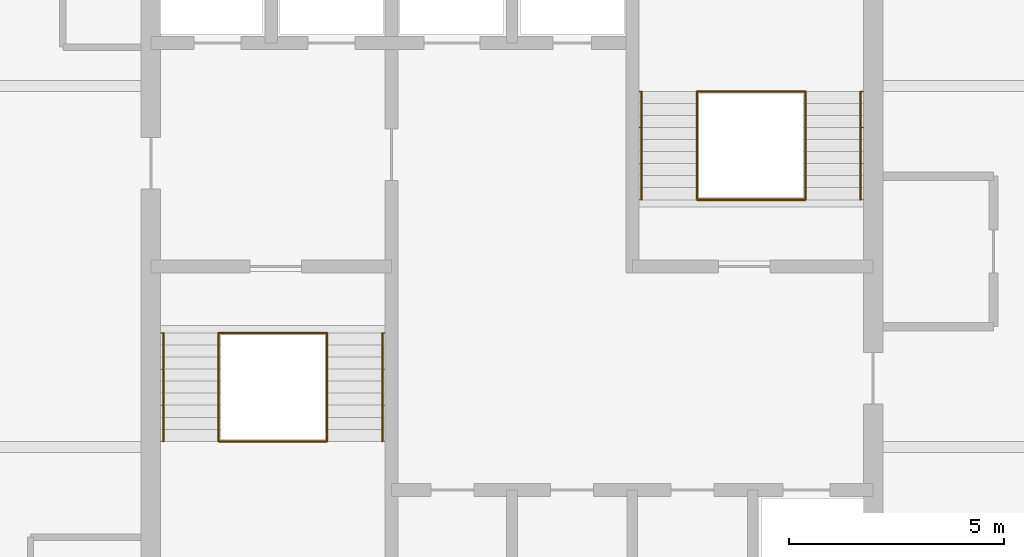
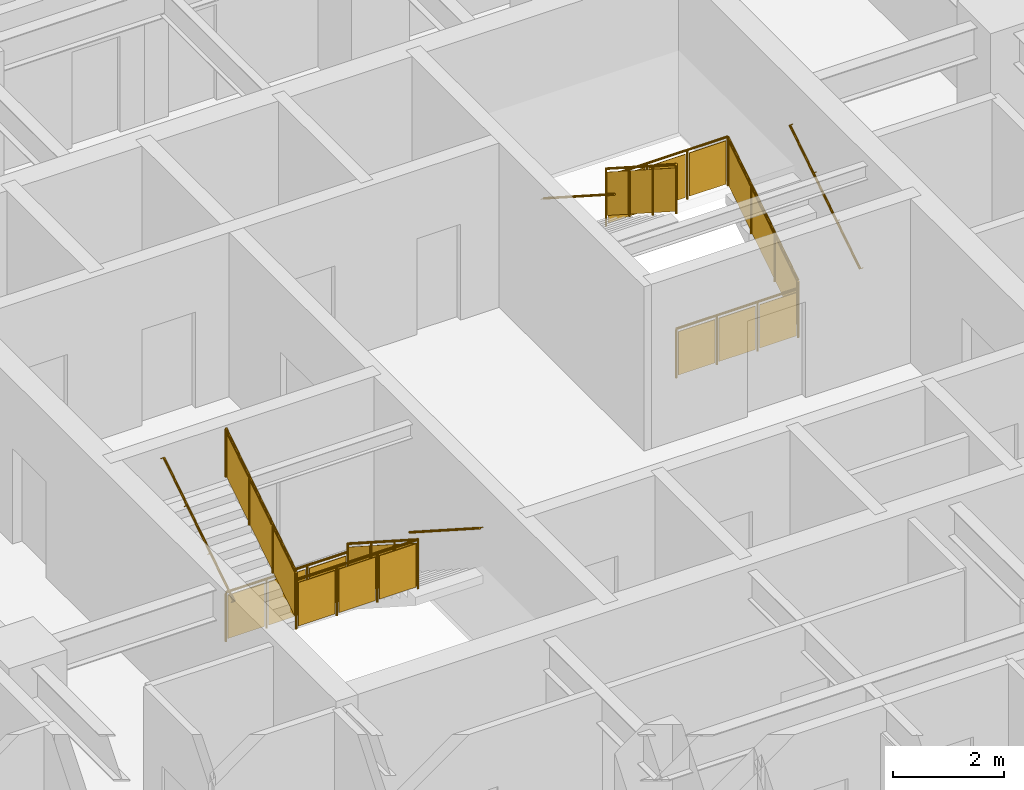
# One storey, part 10 of 10: 12 railings.
"""IFC4 building model written with IfcOpenShell, lengths in metres."""

from ifc_helpers import new_model, si_unit, direction, frame, origin, origin_2d, place, context, subcontext, project, spatial, polyline, circle, outline, extrude, material, type_object, element, save


model = new_model("IFC4")

# Units and contexts
model_context = context("Model", 3, precision=1e-05, world=origin(), true_north=direction((0.0, 1.0)))
body_context = subcontext(model_context, "Body", "Model", "MODEL_VIEW")
ifc_project = project(units=[si_unit("LENGTHUNIT", "METRE"), si_unit("AREAUNIT", "SQUARE_METRE"), si_unit("VOLUMEUNIT", "CUBIC_METRE"), si_unit("PLANEANGLEUNIT", "RADIAN"), si_unit("MASSUNIT", "GRAM", prefix="KILO")], contexts=[model_context])

# Site, building, storey
site_placement = place(None, origin())
site = spatial("IfcSite", under=ifc_project, at=site_placement, CompositionType="ELEMENT")
building_placement = place(site_placement, origin())
building = spatial("IfcBuilding", under=site, at=building_placement, Name="Torre Alcanfor", CompositionType="ELEMENT")
storey_placement = place(building_placement, frame((0.0, 0.0, 286.5)))
storey = spatial("IfcBuildingStorey", under=building, at=storey_placement, Name="L75", CompositionType="ELEMENT", Elevation=286.5)

# Railings
ifc_material_1 = material(Name="Steel ASTM A500 Grade C hollow sections", Category="steel")
railing_type_1 = type_object("IfcRailingType", Name="Stair guard and handrail 1100", PredefinedType="GUARDRAIL", material=ifc_material_1)
railing_1_placement = place(storey_placement, frame((25.10009765625, 27.85009765625, 0.179931640625)))
element("IfcRailing", 1, at=railing_1_placement, inside=storey, type_object=railing_type_1, Name="Stair guard S1 L75 flight 1", PredefinedType="GUARDRAIL", context=body_context, shape_type="SweptSolid", body=[
    extrude(circle(Radius=0.02392578125, at=origin_2d()), frame((0.0, 0.0, 1.076171875), z_axis=(0.0, -0.841162588446, 0.540782303519), x_axis=(1.0, 0.0, 0.0)), (0.0, 0.0, 1.0), 2.995849609375),
    extrude(circle(Radius=0.02099609375, at=origin_2d()), origin(), (0.0, 0.0, 1.0), 1.052001953125),
    extrude(circle(Radius=0.02099609375, at=origin_2d()), frame((0.0, -0.840087890625, 0.5400390625)), (0.0, 0.0, 1.0), 1.052001953125),
    extrude(circle(Radius=0.02099609375, at=origin_2d()), frame((0.0, -1.679931640625, 1.080078125)), (0.0, 0.0, 1.0), 1.052001953125),
    extrude(circle(Radius=0.02099609375, at=origin_2d()), frame((0.0, -2.52001953125, 1.6201171875)), (0.0, 0.0, 1.0), 1.052001953125),
    extrude(outline(polyline([(0.041015625, 0.076416015625), (0.799072265625, 0.563720703125), (0.799072265625, 1.515625), (0.041015625, 1.0283203125), (0.041015625, 0.076416015625)])), frame((0.005859375, 0.0, 0.0), z_axis=(-1.0, 0.0, 0.0), x_axis=(0.0, -1.0, 0.0)), (0.0, 0.0, 1.0), 0.011962890625),
    extrude(outline(polyline([(0.881103515625, 0.616455078125), (1.638916015625, 1.103759765625), (1.638916015625, 2.0556640625), (0.881103515625, 1.568359375), (0.881103515625, 0.616455078125)])), frame((0.005859375, 0.0, 0.0), z_axis=(-1.0, 0.0, 0.0), x_axis=(0.0, -1.0, 0.0)), (0.0, 0.0, 1.0), 0.011962890625),
    extrude(outline(polyline([(1.720947265625, 1.156494140625), (2.47900390625, 1.643798828125), (2.47900390625, 2.595703125), (1.720947265625, 2.1083984375), (1.720947265625, 1.156494140625)])), frame((0.005859375, 0.0, 0.0), z_axis=(-1.0, 0.0, 0.0), x_axis=(0.0, -1.0, 0.0)), (0.0, 0.0, 1.0), 0.011962890625),
])
railing_2_placement = place(storey_placement, frame((22.574951171875, 25.330078125, 1.97998046875)))
element("IfcRailing", 2, at=railing_2_placement, inside=storey, type_object=railing_type_1, Name="Stair guard S1 L75 flight 2", PredefinedType="GUARDRAIL", context=body_context, shape_type="SweptSolid", body=[
    extrude(circle(Radius=0.02392578125, at=origin_2d()), frame((0.0, 0.0, 1.076171875), z_axis=(0.0, 0.841162588446, 0.540782303519), x_axis=(-1.0, 0.0, 0.0)), (0.0, 0.0, 1.0), 2.995849609375),
    extrude(circle(Radius=0.02099609375, at=origin_2d()), origin(), (0.0, 0.0, 1.0), 1.052001953125),
    extrude(circle(Radius=0.02099609375, at=origin_2d()), frame((0.0, 0.840087890625, 0.5400390625)), (0.0, 0.0, 1.0), 1.052001953125),
    extrude(circle(Radius=0.02099609375, at=origin_2d()), frame((0.0, 1.679931640625, 1.080078125)), (0.0, 0.0, 1.0), 1.052001953125),
    extrude(circle(Radius=0.02099609375, at=origin_2d()), frame((0.0, 2.52001953125, 1.6201171875)), (0.0, 0.0, 1.0), 1.052001953125),
    extrude(outline(polyline([(0.041015625, 0.076416015625), (0.799072265625, 0.563720703125), (0.799072265625, 1.515625), (0.041015625, 1.0283203125), (0.041015625, 0.076416015625)])), frame((-0.005859375, 0.0, 0.0), z_axis=(1.0, 0.0, 0.0), x_axis=(0.0, 1.0, 0.0)), (0.0, 0.0, 1.0), 0.011962890625),
    extrude(outline(polyline([(0.881103515625, 0.616455078125), (1.638916015625, 1.103759765625), (1.638916015625, 2.0556640625), (0.881103515625, 1.568359375), (0.881103515625, 0.616455078125)])), frame((-0.005859375, 0.0, 0.0), z_axis=(1.0, 0.0, 0.0), x_axis=(0.0, 1.0, 0.0)), (0.0, 0.0, 1.0), 0.011962890625),
    extrude(outline(polyline([(1.720947265625, 1.156494140625), (2.47900390625, 1.643798828125), (2.47900390625, 2.595703125), (1.720947265625, 2.1083984375), (1.720947265625, 1.156494140625)])), frame((-0.005859375, 0.0, 0.0), z_axis=(1.0, 0.0, 0.0), x_axis=(0.0, 1.0, 0.0)), (0.0, 0.0, 1.0), 0.011962890625),
])
for number, where, name in (
    (3, (22.574951171875, 27.85009765625, 0.0), "Stair well guard S1 L75 floor landing"),
    (4, (22.574951171875, 25.330078125, 1.800048828125), "Stair well guard S1 L75 half landing"),
):
    element("IfcRailing", number, at=place(storey_placement, frame(where)), inside=storey, type_object=railing_type_1, Name=name, PredefinedType="GUARDRAIL", context=body_context, shape_type="SweptSolid", body=[
        extrude(circle(Radius=0.02392578125, at=origin_2d()), frame((0.0, 0.0, 1.076171875), z_axis=(1.0, 0.0, 0.0), x_axis=(0.0, 1.0, 0.0)), (0.0, 0.0, 1.0), 2.525146484375),
        extrude(circle(Radius=0.02099609375, at=origin_2d()), origin(), (0.0, 0.0, 1.0), 1.052001953125),
        extrude(circle(Radius=0.02099609375, at=origin_2d()), frame((0.841796875, 0.0, 0.0)), (0.0, 0.0, 1.0), 1.052001953125),
        extrude(circle(Radius=0.02099609375, at=origin_2d()), frame((1.683349609375, 0.0, 0.0)), (0.0, 0.0, 1.0), 1.052001953125),
        extrude(circle(Radius=0.02099609375, at=origin_2d()), frame((2.525146484375, 0.0, 0.0)), (0.0, 0.0, 1.0), 1.052001953125),
        extrude(outline(polyline([(0.041015625, 0.050048828125), (0.80078125, 0.050048828125), (0.80078125, 1.001953125), (0.041015625, 1.001953125), (0.041015625, 0.050048828125)])), frame((0.0, 0.005859375, 0.0), z_axis=(0.0, -1.0, 0.0), x_axis=(1.0, 0.0, 0.0)), (0.0, 0.0, 1.0), 0.011962890625),
        extrude(outline(polyline([(0.8828125, 0.050048828125), (1.642333984375, 0.050048828125), (1.642333984375, 1.001953125), (0.8828125, 1.001953125), (0.8828125, 0.050048828125)])), frame((0.0, 0.005859375, 0.0), z_axis=(0.0, -1.0, 0.0), x_axis=(1.0, 0.0, 0.0)), (0.0, 0.0, 1.0), 0.011962890625),
        extrude(outline(polyline([(1.724365234375, 0.050048828125), (2.484130859375, 0.050048828125), (2.484130859375, 1.001953125), (1.724365234375, 1.001953125), (1.724365234375, 0.050048828125)])), frame((0.0, 0.005859375, 0.0), z_axis=(0.0, -1.0, 0.0), x_axis=(1.0, 0.0, 0.0)), (0.0, 0.0, 1.0), 0.011962890625),
    ])
railing_3_placement = place(storey_placement, frame((36.22509765625, 30.949951171875, 0.179931640625)))
element("IfcRailing", 5, at=railing_3_placement, inside=storey, type_object=railing_type_1, Name="Stair guard S2 L75 flight 1", PredefinedType="GUARDRAIL", context=body_context, shape_type="SweptSolid", body=[
    extrude(circle(Radius=0.02392578125, at=origin_2d()), frame((0.0, 0.0, 1.076171875), z_axis=(0.0, 0.841162588446, 0.540782303519), x_axis=(-1.0, 0.0, 0.0)), (0.0, 0.0, 1.0), 2.995849609375),
    extrude(circle(Radius=0.02099609375, at=origin_2d()), origin(), (0.0, 0.0, 1.0), 1.052001953125),
    extrude(circle(Radius=0.02099609375, at=origin_2d()), frame((0.0, 0.840087890625, 0.5400390625)), (0.0, 0.0, 1.0), 1.052001953125),
    extrude(circle(Radius=0.02099609375, at=origin_2d()), frame((0.0, 1.679931640625, 1.080078125)), (0.0, 0.0, 1.0), 1.052001953125),
    extrude(circle(Radius=0.02099609375, at=origin_2d()), frame((0.0, 2.52001953125, 1.6201171875)), (0.0, 0.0, 1.0), 1.052001953125),
    extrude(outline(polyline([(0.041015625, 0.076416015625), (0.799072265625, 0.563720703125), (0.799072265625, 1.515625), (0.041015625, 1.0283203125), (0.041015625, 0.076416015625)])), frame((-0.005859375, 0.0, 0.0), z_axis=(1.0, 0.0, 0.0), x_axis=(0.0, 1.0, 0.0)), (0.0, 0.0, 1.0), 0.011962890625),
    extrude(outline(polyline([(0.881103515625, 0.616455078125), (1.638916015625, 1.103759765625), (1.638916015625, 2.0556640625), (0.881103515625, 1.568359375), (0.881103515625, 0.616455078125)])), frame((-0.005859375, 0.0, 0.0), z_axis=(1.0, 0.0, 0.0), x_axis=(0.0, 1.0, 0.0)), (0.0, 0.0, 1.0), 0.011962890625),
    extrude(outline(polyline([(1.720947265625, 1.156494140625), (2.47900390625, 1.643798828125), (2.47900390625, 2.595703125), (1.720947265625, 2.1083984375), (1.720947265625, 1.156494140625)])), frame((-0.005859375, 0.0, 0.0), z_axis=(1.0, 0.0, 0.0), x_axis=(0.0, 1.0, 0.0)), (0.0, 0.0, 1.0), 0.011962890625),
])
railing_4_placement = place(storey_placement, frame((33.699951171875, 33.469970703125, 1.97998046875)))
element("IfcRailing", 6, at=railing_4_placement, inside=storey, type_object=railing_type_1, Name="Stair guard S2 L75 flight 2", PredefinedType="GUARDRAIL", context=body_context, shape_type="SweptSolid", body=[
    extrude(circle(Radius=0.02392578125, at=origin_2d()), frame((0.0, 0.0, 1.076171875), z_axis=(0.0, -0.841162588446, 0.540782303519), x_axis=(1.0, 0.0, 0.0)), (0.0, 0.0, 1.0), 2.995849609375),
    extrude(circle(Radius=0.02099609375, at=origin_2d()), origin(), (0.0, 0.0, 1.0), 1.052001953125),
    extrude(circle(Radius=0.02099609375, at=origin_2d()), frame((0.0, -0.840087890625, 0.5400390625)), (0.0, 0.0, 1.0), 1.052001953125),
    extrude(circle(Radius=0.02099609375, at=origin_2d()), frame((0.0, -1.679931640625, 1.080078125)), (0.0, 0.0, 1.0), 1.052001953125),
    extrude(circle(Radius=0.02099609375, at=origin_2d()), frame((0.0, -2.52001953125, 1.6201171875)), (0.0, 0.0, 1.0), 1.052001953125),
    extrude(outline(polyline([(0.041015625, 0.076416015625), (0.799072265625, 0.563720703125), (0.799072265625, 1.515625), (0.041015625, 1.0283203125), (0.041015625, 0.076416015625)])), frame((0.005859375, 0.0, 0.0), z_axis=(-1.0, 0.0, 0.0), x_axis=(0.0, -1.0, 0.0)), (0.0, 0.0, 1.0), 0.011962890625),
    extrude(outline(polyline([(0.881103515625, 0.616455078125), (1.638916015625, 1.103759765625), (1.638916015625, 2.0556640625), (0.881103515625, 1.568359375), (0.881103515625, 0.616455078125)])), frame((0.005859375, 0.0, 0.0), z_axis=(-1.0, 0.0, 0.0), x_axis=(0.0, -1.0, 0.0)), (0.0, 0.0, 1.0), 0.011962890625),
    extrude(outline(polyline([(1.720947265625, 1.156494140625), (2.47900390625, 1.643798828125), (2.47900390625, 2.595703125), (1.720947265625, 2.1083984375), (1.720947265625, 1.156494140625)])), frame((0.005859375, 0.0, 0.0), z_axis=(-1.0, 0.0, 0.0), x_axis=(0.0, -1.0, 0.0)), (0.0, 0.0, 1.0), 0.011962890625),
])
for number, where, name in (
    (7, (33.699951171875, 30.949951171875, 0.0), "Stair well guard S2 L75 floor landing"),
    (8, (33.699951171875, 33.469970703125, 1.800048828125), "Stair well guard S2 L75 half landing"),
):
    element("IfcRailing", number, at=place(storey_placement, frame(where)), inside=storey, type_object=railing_type_1, Name=name, PredefinedType="GUARDRAIL", context=body_context, shape_type="SweptSolid", body=[
        extrude(circle(Radius=0.02392578125, at=origin_2d()), frame((0.0, 0.0, 1.076171875), z_axis=(1.0, 0.0, 0.0), x_axis=(0.0, 1.0, 0.0)), (0.0, 0.0, 1.0), 2.525146484375),
        extrude(circle(Radius=0.02099609375, at=origin_2d()), origin(), (0.0, 0.0, 1.0), 1.052001953125),
        extrude(circle(Radius=0.02099609375, at=origin_2d()), frame((0.841796875, 0.0, 0.0)), (0.0, 0.0, 1.0), 1.052001953125),
        extrude(circle(Radius=0.02099609375, at=origin_2d()), frame((1.683349609375, 0.0, 0.0)), (0.0, 0.0, 1.0), 1.052001953125),
        extrude(circle(Radius=0.02099609375, at=origin_2d()), frame((2.525146484375, 0.0, 0.0)), (0.0, 0.0, 1.0), 1.052001953125),
        extrude(outline(polyline([(0.041015625, 0.050048828125), (0.80078125, 0.050048828125), (0.80078125, 1.001953125), (0.041015625, 1.001953125), (0.041015625, 0.050048828125)])), frame((0.0, 0.005859375, 0.0), z_axis=(0.0, -1.0, 0.0), x_axis=(1.0, 0.0, 0.0)), (0.0, 0.0, 1.0), 0.011962890625),
        extrude(outline(polyline([(0.8828125, 0.050048828125), (1.642333984375, 0.050048828125), (1.642333984375, 1.001953125), (0.8828125, 1.001953125), (0.8828125, 0.050048828125)])), frame((0.0, 0.005859375, 0.0), z_axis=(0.0, -1.0, 0.0), x_axis=(1.0, 0.0, 0.0)), (0.0, 0.0, 1.0), 0.011962890625),
        extrude(outline(polyline([(1.724365234375, 0.050048828125), (2.484130859375, 0.050048828125), (2.484130859375, 1.001953125), (1.724365234375, 1.001953125), (1.724365234375, 0.050048828125)])), frame((0.0, 0.005859375, 0.0), z_axis=(0.0, -1.0, 0.0), x_axis=(1.0, 0.0, 0.0)), (0.0, 0.0, 1.0), 0.011962890625),
    ])
ifc_material_2 = material(Name="Steel ASTM A500 Grade C hollow sections", Category="steel")
railing_type_2 = type_object("IfcRailingType", Name="Stair wall handrail 900", PredefinedType="HANDRAIL", material=ifc_material_2)
railing_5_placement = place(storey_placement, frame((26.385009765625, 27.85009765625, 0.179931640625)))
element("IfcRailing", 9, at=railing_5_placement, inside=storey, type_object=railing_type_2, Name="Stair handrail S1 L75 flight 1", PredefinedType="HANDRAIL", context=body_context, shape_type="SweptSolid", body=[
    extrude(circle(Radius=0.02392578125, at=origin_2d()), frame((0.0, 0.0, 0.8759765625), z_axis=(0.0, -0.841162588446, 0.540782303519), x_axis=(1.0, 0.0, 0.0)), (0.0, 0.0, 1.0), 2.995849609375),
    extrude(circle(Radius=0.008056640625, at=origin_2d()), frame((0.0, 0.0, 0.8759765625), z_axis=(1.0, 0.0, 0.0), x_axis=(0.0, 0.0, 1.0)), (0.0, 0.0, 1.0), 0.06494140625),
    extrude(circle(Radius=0.008056640625, at=origin_2d()), frame((0.0, -0.840087890625, 1.416015625), z_axis=(1.0, 0.0, 0.0), x_axis=(0.0, 0.0, 1.0)), (0.0, 0.0, 1.0), 0.06494140625),
    extrude(circle(Radius=0.008056640625, at=origin_2d()), frame((0.0, -1.679931640625, 1.9560546875), z_axis=(1.0, 0.0, 0.0), x_axis=(0.0, 0.0, 1.0)), (0.0, 0.0, 1.0), 0.06494140625),
    extrude(circle(Radius=0.008056640625, at=origin_2d()), frame((0.0, -2.52001953125, 2.49609375), z_axis=(1.0, 0.0, 0.0), x_axis=(0.0, 0.0, 1.0)), (0.0, 0.0, 1.0), 0.06494140625),
])
railing_6_placement = place(storey_placement, frame((21.2900390625, 25.330078125, 1.97998046875)))
element("IfcRailing", 10, at=railing_6_placement, inside=storey, type_object=railing_type_2, Name="Stair handrail S1 L75 flight 2", PredefinedType="HANDRAIL", context=body_context, shape_type="SweptSolid", body=[
    extrude(circle(Radius=0.02392578125, at=origin_2d()), frame((0.0, 0.0, 0.8759765625), z_axis=(0.0, 0.841162588446, 0.540782303519), x_axis=(-1.0, 0.0, 0.0)), (0.0, 0.0, 1.0), 2.995849609375),
    extrude(circle(Radius=0.008056640625, at=origin_2d()), frame((0.0, 0.0, 0.8759765625), z_axis=(-1.0, 0.0, 0.0), x_axis=(0.0, 0.0, 1.0)), (0.0, 0.0, 1.0), 0.06494140625),
    extrude(circle(Radius=0.008056640625, at=origin_2d()), frame((0.0, 0.840087890625, 1.416015625), z_axis=(-1.0, 0.0, 0.0), x_axis=(0.0, 0.0, 1.0)), (0.0, 0.0, 1.0), 0.06494140625),
    extrude(circle(Radius=0.008056640625, at=origin_2d()), frame((0.0, 1.679931640625, 1.9560546875), z_axis=(-1.0, 0.0, 0.0), x_axis=(0.0, 0.0, 1.0)), (0.0, 0.0, 1.0), 0.06494140625),
    extrude(circle(Radius=0.008056640625, at=origin_2d()), frame((0.0, 2.52001953125, 2.49609375), z_axis=(-1.0, 0.0, 0.0), x_axis=(0.0, 0.0, 1.0)), (0.0, 0.0, 1.0), 0.06494140625),
])
railing_7_placement = place(storey_placement, frame((37.510009765625, 30.949951171875, 0.179931640625)))
element("IfcRailing", 11, at=railing_7_placement, inside=storey, type_object=railing_type_2, Name="Stair handrail S2 L75 flight 1", PredefinedType="HANDRAIL", context=body_context, shape_type="SweptSolid", body=[
    extrude(circle(Radius=0.02392578125, at=origin_2d()), frame((0.0, 0.0, 0.8759765625), z_axis=(0.0, 0.841162588446, 0.540782303519), x_axis=(-1.0, 0.0, 0.0)), (0.0, 0.0, 1.0), 2.995849609375),
    extrude(circle(Radius=0.008056640625, at=origin_2d()), frame((0.0, 0.0, 0.8759765625), z_axis=(1.0, 0.0, 0.0), x_axis=(0.0, 0.0, 1.0)), (0.0, 0.0, 1.0), 0.06494140625),
    extrude(circle(Radius=0.008056640625, at=origin_2d()), frame((0.0, 0.840087890625, 1.416015625), z_axis=(1.0, 0.0, 0.0), x_axis=(0.0, 0.0, 1.0)), (0.0, 0.0, 1.0), 0.06494140625),
    extrude(circle(Radius=0.008056640625, at=origin_2d()), frame((0.0, 1.679931640625, 1.9560546875), z_axis=(1.0, 0.0, 0.0), x_axis=(0.0, 0.0, 1.0)), (0.0, 0.0, 1.0), 0.06494140625),
    extrude(circle(Radius=0.008056640625, at=origin_2d()), frame((0.0, 2.52001953125, 2.49609375), z_axis=(1.0, 0.0, 0.0), x_axis=(0.0, 0.0, 1.0)), (0.0, 0.0, 1.0), 0.06494140625),
])
railing_8_placement = place(storey_placement, frame((32.4150390625, 33.469970703125, 1.97998046875)))
element("IfcRailing", 12, at=railing_8_placement, inside=storey, type_object=railing_type_2, Name="Stair handrail S2 L75 flight 2", PredefinedType="HANDRAIL", context=body_context, shape_type="SweptSolid", body=[
    extrude(circle(Radius=0.02392578125, at=origin_2d()), frame((0.0, 0.0, 0.8759765625), z_axis=(0.0, -0.841162588446, 0.540782303519), x_axis=(1.0, 0.0, 0.0)), (0.0, 0.0, 1.0), 2.995849609375),
    extrude(circle(Radius=0.008056640625, at=origin_2d()), frame((0.0, 0.0, 0.8759765625), z_axis=(-1.0, 0.0, 0.0), x_axis=(0.0, 0.0, 1.0)), (0.0, 0.0, 1.0), 0.06494140625),
    extrude(circle(Radius=0.008056640625, at=origin_2d()), frame((0.0, -0.840087890625, 1.416015625), z_axis=(-1.0, 0.0, 0.0), x_axis=(0.0, 0.0, 1.0)), (0.0, 0.0, 1.0), 0.06494140625),
    extrude(circle(Radius=0.008056640625, at=origin_2d()), frame((0.0, -1.679931640625, 1.9560546875), z_axis=(-1.0, 0.0, 0.0), x_axis=(0.0, 0.0, 1.0)), (0.0, 0.0, 1.0), 0.06494140625),
    extrude(circle(Radius=0.008056640625, at=origin_2d()), frame((0.0, -2.52001953125, 2.49609375), z_axis=(-1.0, 0.0, 0.0), x_axis=(0.0, 0.0, 1.0)), (0.0, 0.0, 1.0), 0.06494140625),
])

save(model, "model.ifc")
